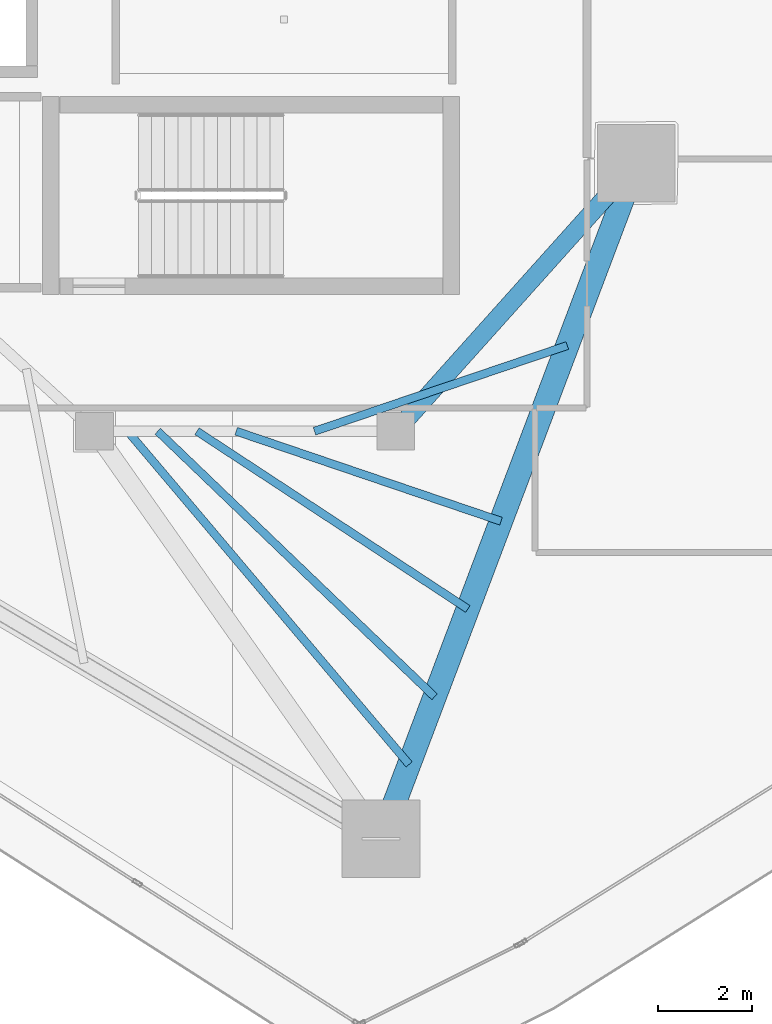
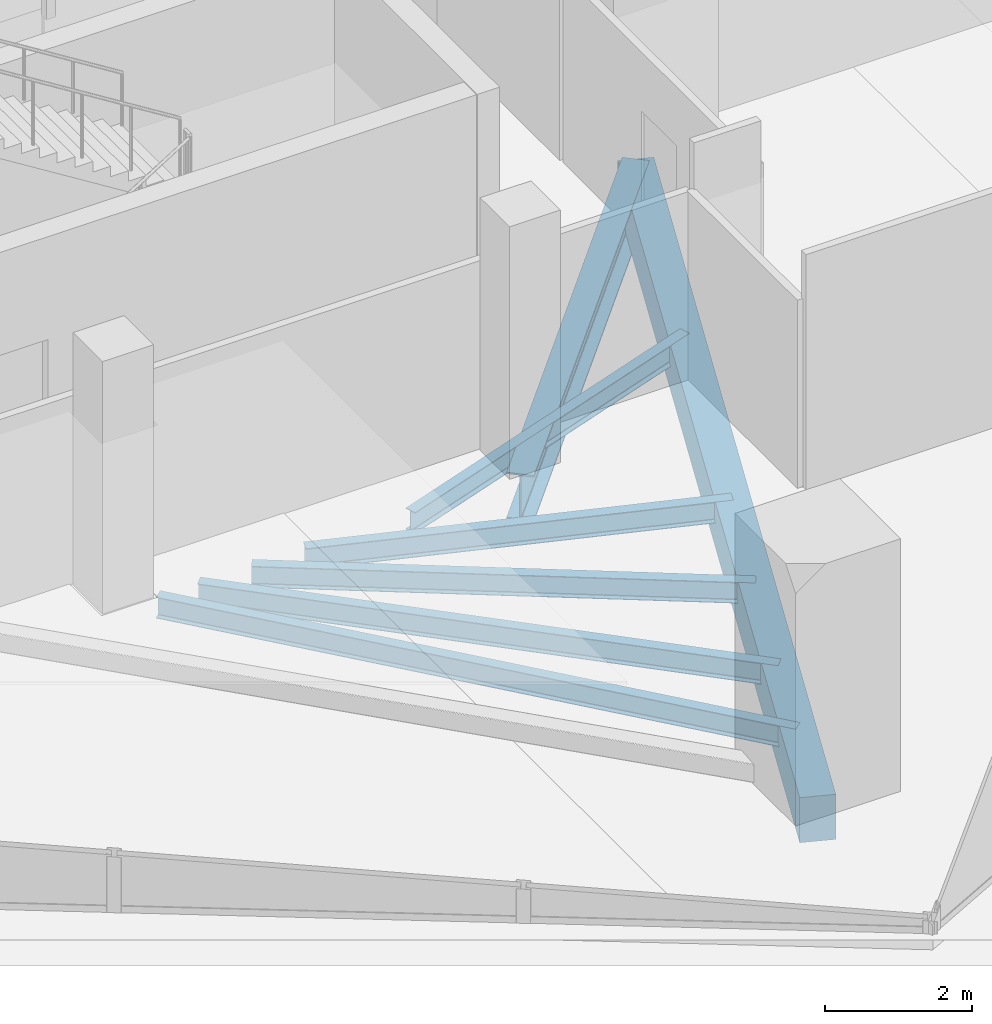
# One storey, part 11 of 34: 7 beams.
"""IFC4 building model written with IfcOpenShell, lengths in metres."""

from ifc_helpers import new_model, si_unit, direction, frame, origin, origin_2d, place, context, subcontext, project, spatial, rectangle, i_section, extrude, material, material_profile, profile_set, type_object, element, save


model = new_model("IFC4")

# Units and contexts
model_context = context("Model", 3, precision=1e-05, world=origin(), true_north=direction((0.0, 1.0)))
body_context = subcontext(model_context, "Body", "Model", "MODEL_VIEW")
ifc_project = project(units=[si_unit("LENGTHUNIT", "METRE"), si_unit("AREAUNIT", "SQUARE_METRE"), si_unit("VOLUMEUNIT", "CUBIC_METRE"), si_unit("PLANEANGLEUNIT", "RADIAN"), si_unit("MASSUNIT", "GRAM", prefix="KILO")], contexts=[model_context])

# Site, building, storey
site_placement = place(None, origin())
site = spatial("IfcSite", under=ifc_project, at=site_placement, CompositionType="ELEMENT")
building_placement = place(site_placement, origin())
building = spatial("IfcBuilding", under=site, at=building_placement, Name="Qorvath Tower", CompositionType="ELEMENT")
storey_placement = place(building_placement, frame((0.0, 0.0, 276.60009765625)))
storey = spatial("IfcBuildingStorey", under=building, at=storey_placement, Name="L64", CompositionType="ELEMENT", Elevation=276.60009765625)

# Beams
ifc_material_1 = material(Name="Steel ASTM A992 Grade 50", Category="steel")
ifc_material_profile_1 = material_profile(ifc_material_1, i_section(OverallWidth=0.381103515625, OverallDepth=0.77294921875, WebThickness=0.0166015625, FlangeThickness=0.027099609375, FilletRadius=0.01904296875, at=origin_2d()), Name="W30x173")
ifc_profile_set_1 = profile_set([ifc_material_profile_1], Name="Steel ASTM A992 Grade 50")
beam_type_1 = type_object("IfcBeamType", Name="BM-FG3", PredefinedType="BEAM", material=ifc_profile_set_1)
beam_1_placement = place(storey_placement, frame((-17.199951171875, -11.449951171875, -0.676513671875), z_axis=(0.667543184261, 0.744571082669, 0.0), x_axis=(-0.744571082669, 0.667543184261, 0.0)))
element("IfcBeam", 1, at=beam_1_placement, inside=storey, type_object=beam_type_1, Name="Radial Floor Girder CC3-MC4 L64", PredefinedType="BEAM", context=body_context, shape_type="SweptSolid", body=[
    extrude(i_section(OverallWidth=0.381103515625, OverallDepth=0.77294921875, WebThickness=0.0166015625, FlangeThickness=0.027099609375, FilletRadius=0.01904296875, at=origin_2d()), origin(), (0.0, 0.0, 1.0), 7.644775390625),
])
ifc_material_2 = material(Name="Steel ASTM A992 Grade 50", Category="steel")
ifc_material_profile_2 = material_profile(ifc_material_2, i_section(OverallWidth=0.1708984375, OverallDepth=0.35107421875, WebThickness=0.0068359375, FlangeThickness=0.009765625, FilletRadius=0.010009765625, at=origin_2d()), Name="W14x30")
ifc_profile_set_2 = profile_set([ifc_material_profile_2], Name="Steel ASTM A992 Grade 50")
beam_type_2 = type_object("IfcBeamType", Name="BM-FJ4", PredefinedType="JOIST", material=ifc_profile_set_2)
beam_2_placement = place(storey_placement, frame((-18.927978515625, -11.449951171875, -0.465576171875), z_axis=(0.947086298547, 0.32097903842, 0.0), x_axis=(-0.32097903842, 0.947086298547, 0.0)))
element("IfcBeam", 2, at=beam_2_placement, inside=storey, type_object=beam_type_2, Name="Composite Floor Joist SE2 L64", PredefinedType="JOIST", context=body_context, shape_type="SweptSolid", body=[
    extrude(i_section(OverallWidth=0.1708984375, OverallDepth=0.35107421875, WebThickness=0.0068359375, FlangeThickness=0.009765625, FilletRadius=0.010009765625, at=origin_2d()), origin(), (0.0, 0.0, 1.0), 5.66796875),
])
beam_3_placement = place(storey_placement, frame((-20.592041015625, -11.449951171875, -0.465576171875), z_axis=(0.946863164885, -0.321636669216, 0.0), x_axis=(0.321636669216, 0.946863164885, 0.0)))
element("IfcBeam", 3, at=beam_3_placement, inside=storey, type_object=beam_type_2, Name="Composite Floor Joist SE4 L64", PredefinedType="JOIST", context=body_context, shape_type="SweptSolid", body=[
    extrude(i_section(OverallWidth=0.1708984375, OverallDepth=0.35107421875, WebThickness=0.0068359375, FlangeThickness=0.009765625, FilletRadius=0.010009765625, at=origin_2d()), origin(), (0.0, 0.0, 1.0), 5.93896484375),
])
beam_4_placement = place(storey_placement, frame((-21.424072265625, -11.449951171875, -0.465576171875), z_axis=(0.835992964387, -0.548740160272, 0.0), x_axis=(0.548740160272, 0.835992964387, 0.0)))
element("IfcBeam", 4, at=beam_4_placement, inside=storey, type_object=beam_type_2, Name="Composite Floor Joist SE5 L64", PredefinedType="JOIST", context=body_context, shape_type="SweptSolid", body=[
    extrude(i_section(OverallWidth=0.1708984375, OverallDepth=0.35107421875, WebThickness=0.0068359375, FlangeThickness=0.009765625, FilletRadius=0.010009765625, at=origin_2d()), origin(), (0.0, 0.0, 1.0), 6.879150390625),
])
beam_5_placement = place(storey_placement, frame((-22.256103515625, -11.449951171875, -0.465576171875), z_axis=(0.721625044611, -0.692284114356, 0.0), x_axis=(0.692284114356, 0.721625044611, 0.0)))
element("IfcBeam", 5, at=beam_5_placement, inside=storey, type_object=beam_type_2, Name="Composite Floor Joist SE6 L64", PredefinedType="JOIST", context=body_context, shape_type="SweptSolid", body=[
    extrude(i_section(OverallWidth=0.1708984375, OverallDepth=0.35107421875, WebThickness=0.0068359375, FlangeThickness=0.009765625, FilletRadius=0.010009765625, at=origin_2d()), origin(), (0.0, 0.0, 1.0), 8.14599609375),
])
beam_6_placement = place(storey_placement, frame((-22.89599609375, -11.449951171875, -0.465576171875), z_axis=(0.645381885676, -0.763860079885, 0.0), x_axis=(0.763860079885, 0.645381885676, 0.0)))
element("IfcBeam", 6, at=beam_6_placement, inside=storey, type_object=beam_type_2, Name="Composite Floor Joist SE7 L64", PredefinedType="JOIST", context=body_context, shape_type="SweptSolid", body=[
    extrude(i_section(OverallWidth=0.1708984375, OverallDepth=0.35107421875, WebThickness=0.0068359375, FlangeThickness=0.009765625, FilletRadius=0.010009765625, at=origin_2d()), origin(), (0.0, 0.0, 1.0), 9.260498046875),
])
ifc_material_3 = material(Name="Concrete C45/55", Category="concrete")
ifc_material_profile_3 = material_profile(ifc_material_3, rectangle(XDim=0.5, YDim=0.75, at=origin_2d()), Name="RCB 750x500")
ifc_profile_set_3 = profile_set([ifc_material_profile_3], Name="Concrete C45/55")
beam_type_3 = type_object("IfcBeamType", Name="BM-RCB3", PredefinedType="SPANDREL", material=ifc_profile_set_3)
beam_7_placement = place(storey_placement, frame((-17.515380859375, -20.1015625, -0.6650390625), z_axis=(0.353397781952, 0.935473146441, 0.0), x_axis=(-0.935473146441, 0.353397781952, 0.0)))
element("IfcBeam", 7, at=beam_7_placement, inside=storey, type_object=beam_type_3, Name="Perimeter Loggia Frame Beam MC3-MC4 L64", PredefinedType="SPANDREL", context=body_context, shape_type="SweptSolid", body=[
    extrude(rectangle(XDim=0.5, YDim=0.75, at=origin_2d()), origin(), (0.0, 0.0, 1.0), 15.333251953125),
])

save(model, "model.ifc")
